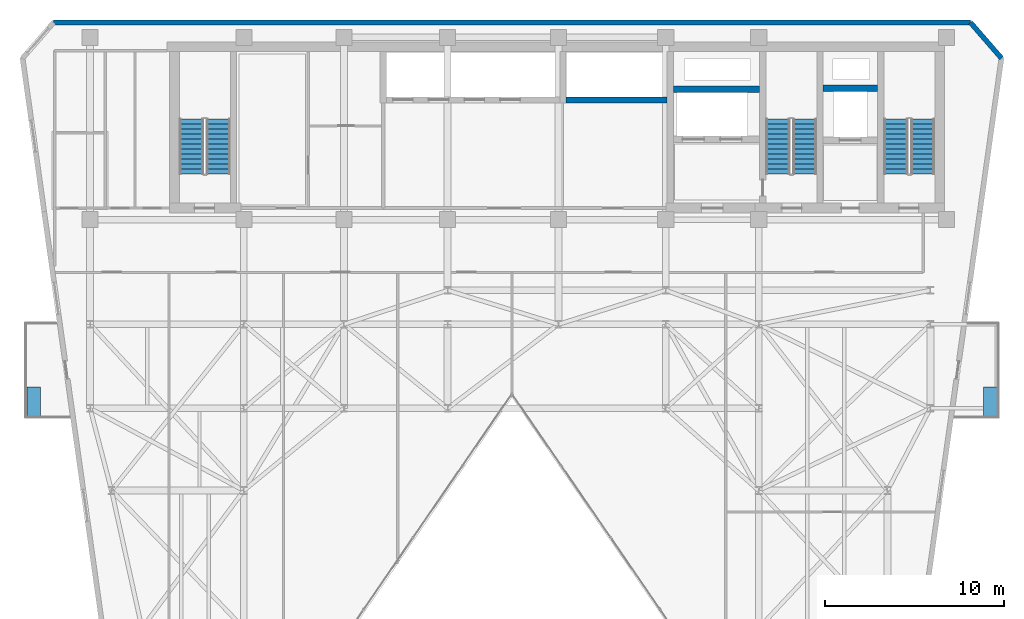
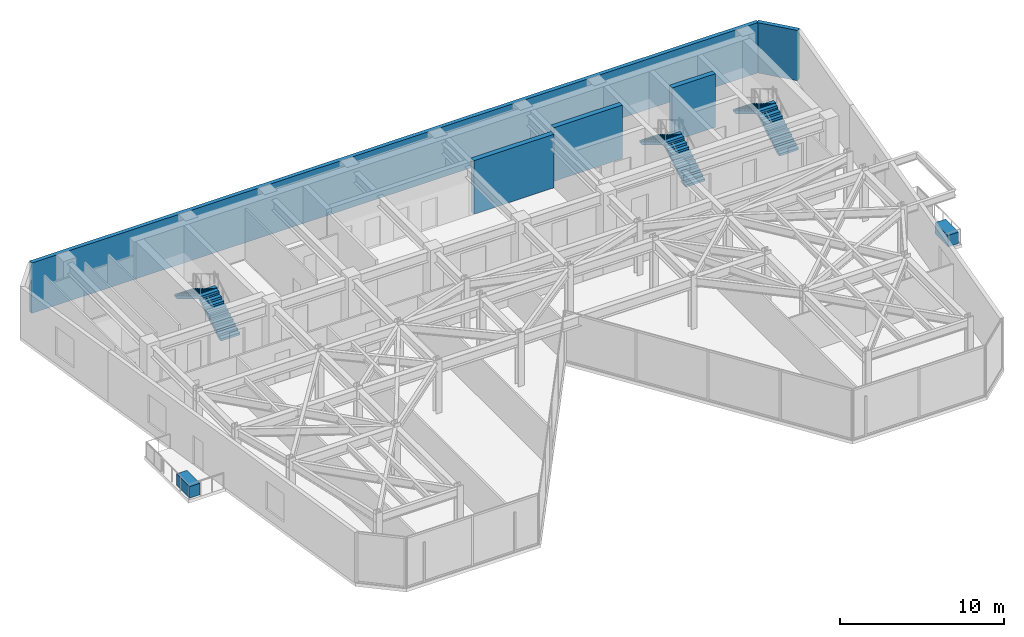
# One storey, part 18 of 21: 6 stair flights, 5 walls, 2 discrete accessories, 3 elements without a shape of their own.
"""IFC4 building model written with IfcOpenShell, lengths in metres."""

from ifc_helpers import new_model, si_unit, direction, frame, frame_2d, origin, origin_2d, place, context, subcontext, project, spatial, polyline, rectangle, outline, extrude, material, layer, layer_set, type_object, element, aggregate, save


model = new_model("IFC4")

# Units and contexts
model_context = context("Model", 3, precision=1e-05, world=origin(), true_north=direction((0.0, 1.0)))
body_context = subcontext(model_context, "Body", "Model", "MODEL_VIEW")
ifc_project = project(units=[si_unit("LENGTHUNIT", "METRE"), si_unit("AREAUNIT", "SQUARE_METRE"), si_unit("VOLUMEUNIT", "CUBIC_METRE"), si_unit("PLANEANGLEUNIT", "RADIAN"), si_unit("MASSUNIT", "GRAM", prefix="KILO")], contexts=[model_context])

# Site, building, storey
site_placement = place(None, origin())
site = spatial("IfcSite", under=ifc_project, at=site_placement, CompositionType="ELEMENT")
building_placement = place(site_placement, origin())
building = spatial("IfcBuilding", under=site, at=building_placement, Name="Kravanh Interchange Tower", CompositionType="ELEMENT")
storey_placement = place(building_placement, frame((0.0, 0.0, 168.5)))
storey = spatial("IfcBuildingStorey", under=building, at=storey_placement, Name="L40", CompositionType="ELEMENT", Elevation=168.5)

# Walls
ifc_material_1 = material(Name="Concrete C60/75", Category="concrete")
ifc_layer_1 = layer(ifc_material_1, 0.35009765625)
ifc_layer_set_1 = layer_set([ifc_layer_1], Name="Core Shear Wall Concrete C60/75 350mm")
wall_type_1 = type_object("IfcWallType", Name="Core Shear Wall Concrete C60/75 350mm", PredefinedType="SHEAR", material=ifc_layer_set_1)
wall_1_placement = place(storey_placement, frame((59.60009765625, 44.699951171875, 0.0), z_axis=(0.0, 0.0, 1.0), x_axis=(1.0, 0.0, 0.0)))
element("IfcWall", 1, at=wall_1_placement, inside=storey, type_object=wall_type_1, Name="L40 Service Lift Shaft North Wall", PredefinedType="SHEAR", context=body_context, shape_type="SweptSolid", body=[
    extrude(rectangle(XDim=3.0498046875, YDim=0.35009765625, at=frame_2d((1.52490234375, 0.0))), origin(), (0.0, 0.0, 1.0), 4.0),
])
wall_2_placement = place(storey_placement, frame((51.22509765625, 44.64990234375, 0.0), z_axis=(0.0, 0.0, 1.0), x_axis=(1.0, 0.0, 0.0)))
element("IfcWall", 2, at=wall_2_placement, inside=storey, type_object=wall_type_1, Name="L40 Fire Lift Shaft North Wall", PredefinedType="SHEAR", context=body_context, shape_type="SweptSolid", body=[
    extrude(rectangle(XDim=4.824951171875, YDim=0.35009765625, at=frame_2d((2.41259765625, 0.0))), origin(), (0.0, 0.0, 1.0), 4.0),
])
wall_3_placement = place(storey_placement, frame((45.22509765625, 44.050048828125, 0.0), z_axis=(0.0, 0.0, 1.0), x_axis=(1.0, 0.0, 0.0)))
element("IfcWall", 3, at=wall_3_placement, inside=storey, type_object=wall_type_1, Name="L40 High-Rise Lift Shaft South Wall", PredefinedType="SHEAR", context=body_context, shape_type="SweptSolid", body=[
    extrude(rectangle(XDim=5.64990234375, YDim=0.35009765625, at=frame_2d((2.824951171875, 0.0))), origin(), (0.0, 0.0, 1.0), 4.0),
])
ifc_material_2 = material(Name="Insulated Precast Concrete C40/50 with Bronze Cladding", Category="concrete")
ifc_layer_2 = layer(ifc_material_2, 0.280029296875)
ifc_layer_set_2 = layer_set([ifc_layer_2], Name="Exterior Insulated Concrete C40/50 Bronze Spandrel Wall 280mm")
wall_type_2 = type_object("IfcWallType", Name="Exterior Insulated Concrete C40/50 Bronze Spandrel Wall 280mm", PredefinedType="STANDARD", material=ifc_layer_set_2)
wall_4_placement = place(storey_placement, frame((16.5546875, 48.3798828125, 0.0), z_axis=(0.0, 0.0, 1.0), x_axis=(1.0, 0.0, 0.0)))
element("IfcWall", 4, at=wall_4_placement, inside=storey, type_object=wall_type_2, Name="L40 Exterior Wall 4", PredefinedType="STANDARD", context=body_context, shape_type="SweptSolid", body=[
    extrude(rectangle(XDim=51.29052734375, YDim=0.280029296875, at=frame_2d((25.645263671875, 0.0))), origin(), (0.0, 0.0, 1.0), 3.7548828125),
])
wall_5_placement = place(storey_placement, frame((67.84521484375, 48.3798828125, 0.0), z_axis=(0.0, 0.0, 1.0), x_axis=(0.656071351282, -0.754698868442, 0.0)))
element("IfcWall", 5, at=wall_5_placement, inside=storey, type_object=wall_type_2, Name="L40 Exterior Wall 5", PredefinedType="STANDARD", context=body_context, shape_type="SweptSolid", body=[
    extrude(rectangle(XDim=2.646240234375, YDim=0.280029296875, at=frame_2d((1.3232421875, 0.0))), origin(), (0.0, 0.0, 1.0), 3.7548828125),
])

# Stair, stair flights
ifc_material_3 = material(Name="Concrete C50/60", Category="concrete")
stair_type = type_object("IfcStairType", Name="Core Fire Exit Dogleg Stair Concrete C50/60", PredefinedType="HALF_TURN_STAIR", material=ifc_material_3)
stair_1_placement = place(storey_placement, origin())
stair_1 = element("IfcStair", 6, at=stair_1_placement, inside=storey, type_object=stair_type, Name="L40 Exit Stair ST1", PredefinedType="HALF_TURN_STAIR")
ifc_material_4 = material(Name="Precast Concrete C50/60", Category="concrete")
ifc_layer_3 = layer(ifc_material_4, 0.199951171875)
ifc_layer_set_3 = layer_set([ifc_layer_3], Name="Precast Concrete C50/60 Stair Flight 1350mm")
stair_flight_type = type_object("IfcStairFlightType", Name="Precast Concrete C50/60 Stair Flight 1350mm", PredefinedType="STRAIGHT", material=ifc_layer_set_3)
stair_flight_1_placement = place(storey_placement, frame((65.175048828125, 39.89990234375, 0.0), z_axis=(0.0, 0.0, 1.0), x_axis=(0.0, 1.0, 0.0)))
stair_flight_1 = element("IfcStairFlight", 7, at=stair_flight_1_placement, type_object=stair_flight_type, Name="ST1 flight 1", NumberOfRisers=12, NumberOfTreads=11, PredefinedType="STRAIGHT", RiserHeight=0.166666667, TreadLength=0.28, context=body_context, shape_type="SweptSolid", body=[
    extrude(outline(polyline([(0.0, 0.0), (0.0, 0.166748046875), (0.280029296875, 0.166748046875), (0.280029296875, 0.333251953125), (0.56005859375, 0.333251953125), (0.56005859375, 0.5), (0.840087890625, 0.5), (0.840087890625, 0.666748046875), (1.1201171875, 0.666748046875), (1.1201171875, 0.833251953125), (1.39990234375, 0.833251953125), (1.39990234375, 1.0), (1.679931640625, 1.0), (1.679931640625, 1.166748046875), (1.9599609375, 1.166748046875), (1.9599609375, 1.333251953125), (2.239990234375, 1.333251953125), (2.239990234375, 1.5), (2.52001953125, 1.5), (2.52001953125, 1.666748046875), (2.800048828125, 1.666748046875), (2.800048828125, 1.833251953125), (3.080078125, 1.833251953125), (3.080078125, 2.0), (3.080078125, 1.658935546875), (0.29296875, 0.0), (0.0, 0.0)])), frame((0.0, 0.675048828125, 0.0), z_axis=(0.0, -1.0, 0.0), x_axis=(1.0, 0.0, 0.0)), (0.0, 0.0, 1.0), 1.35009765625),
])
stair_flight_2_placement = place(storey_placement, frame((63.675048828125, 42.97998046875, 2.0), z_axis=(0.0, 0.0, 1.0), x_axis=(0.0, -1.0, 0.0)))
stair_flight_2 = element("IfcStairFlight", 8, at=stair_flight_2_placement, type_object=stair_flight_type, Name="ST1 flight 2", NumberOfRisers=12, NumberOfTreads=11, PredefinedType="STRAIGHT", RiserHeight=0.166666667, TreadLength=0.28, context=body_context, shape_type="SweptSolid", body=[
    extrude(outline(polyline([(0.0, 0.0), (0.0, 0.166748046875), (0.280029296875, 0.166748046875), (0.280029296875, 0.333251953125), (0.56005859375, 0.333251953125), (0.56005859375, 0.5), (0.840087890625, 0.5), (0.840087890625, 0.666748046875), (1.1201171875, 0.666748046875), (1.1201171875, 0.833251953125), (1.39990234375, 0.833251953125), (1.39990234375, 1.0), (1.679931640625, 1.0), (1.679931640625, 1.166748046875), (1.9599609375, 1.166748046875), (1.9599609375, 1.333251953125), (2.239990234375, 1.333251953125), (2.239990234375, 1.5), (2.52001953125, 1.5), (2.52001953125, 1.666748046875), (2.800048828125, 1.666748046875), (2.800048828125, 1.833251953125), (3.080078125, 1.833251953125), (3.080078125, 2.0), (3.080078125, 1.658935546875), (0.29296875, 0.0), (0.0, 0.0)])), frame((0.0, 0.675048828125, 0.0), z_axis=(0.0, -1.0, 0.0), x_axis=(1.0, 0.0, 0.0)), (0.0, 0.0, 1.0), 1.35009765625),
])
aggregate(stair_1, [stair_flight_1, stair_flight_2])

stair_2_placement = place(storey_placement, origin())
stair_2 = element("IfcStair", 9, at=stair_2_placement, inside=storey, type_object=stair_type, Name="L40 Exit Stair ST2", PredefinedType="HALF_TURN_STAIR")
stair_flight_3_placement = place(storey_placement, frame((58.574951171875, 39.89990234375, 0.0), z_axis=(0.0, 0.0, 1.0), x_axis=(0.0, 1.0, 0.0)))
stair_flight_3 = element("IfcStairFlight", 10, at=stair_flight_3_placement, type_object=stair_flight_type, Name="ST2 flight 1", NumberOfRisers=12, NumberOfTreads=11, PredefinedType="STRAIGHT", RiserHeight=0.166666667, TreadLength=0.28, context=body_context, shape_type="SweptSolid", body=[
    extrude(outline(polyline([(0.0, 0.0), (0.0, 0.166748046875), (0.280029296875, 0.166748046875), (0.280029296875, 0.333251953125), (0.56005859375, 0.333251953125), (0.56005859375, 0.5), (0.840087890625, 0.5), (0.840087890625, 0.666748046875), (1.1201171875, 0.666748046875), (1.1201171875, 0.833251953125), (1.39990234375, 0.833251953125), (1.39990234375, 1.0), (1.679931640625, 1.0), (1.679931640625, 1.166748046875), (1.9599609375, 1.166748046875), (1.9599609375, 1.333251953125), (2.239990234375, 1.333251953125), (2.239990234375, 1.5), (2.52001953125, 1.5), (2.52001953125, 1.666748046875), (2.800048828125, 1.666748046875), (2.800048828125, 1.833251953125), (3.080078125, 1.833251953125), (3.080078125, 2.0), (3.080078125, 1.658935546875), (0.29296875, 0.0), (0.0, 0.0)])), frame((0.0, 0.675048828125, 0.0), z_axis=(0.0, -1.0, 0.0), x_axis=(1.0, 0.0, 0.0)), (0.0, 0.0, 1.0), 1.35009765625),
])
stair_flight_4_placement = place(storey_placement, frame((57.074951171875, 42.97998046875, 2.0), z_axis=(0.0, 0.0, 1.0), x_axis=(0.0, -1.0, 0.0)))
stair_flight_4 = element("IfcStairFlight", 11, at=stair_flight_4_placement, type_object=stair_flight_type, Name="ST2 flight 2", NumberOfRisers=12, NumberOfTreads=11, PredefinedType="STRAIGHT", RiserHeight=0.166666667, TreadLength=0.28, context=body_context, shape_type="SweptSolid", body=[
    extrude(outline(polyline([(0.0, 0.0), (0.0, 0.166748046875), (0.280029296875, 0.166748046875), (0.280029296875, 0.333251953125), (0.56005859375, 0.333251953125), (0.56005859375, 0.5), (0.840087890625, 0.5), (0.840087890625, 0.666748046875), (1.1201171875, 0.666748046875), (1.1201171875, 0.833251953125), (1.39990234375, 0.833251953125), (1.39990234375, 1.0), (1.679931640625, 1.0), (1.679931640625, 1.166748046875), (1.9599609375, 1.166748046875), (1.9599609375, 1.333251953125), (2.239990234375, 1.333251953125), (2.239990234375, 1.5), (2.52001953125, 1.5), (2.52001953125, 1.666748046875), (2.800048828125, 1.666748046875), (2.800048828125, 1.833251953125), (3.080078125, 1.833251953125), (3.080078125, 2.0), (3.080078125, 1.658935546875), (0.29296875, 0.0), (0.0, 0.0)])), frame((0.0, 0.675048828125, 0.0), z_axis=(0.0, -1.0, 0.0), x_axis=(1.0, 0.0, 0.0)), (0.0, 0.0, 1.0), 1.35009765625),
])
aggregate(stair_2, [stair_flight_3, stair_flight_4])

stair_3_placement = place(storey_placement, origin())
stair_3 = element("IfcStair", 12, at=stair_3_placement, inside=storey, type_object=stair_type, Name="L40 Exit Stair ST3", PredefinedType="HALF_TURN_STAIR")
stair_flight_5_placement = place(storey_placement, frame((25.77490234375, 39.89990234375, 0.0), z_axis=(0.0, 0.0, 1.0), x_axis=(0.0, 1.0, 0.0)))
stair_flight_5 = element("IfcStairFlight", 13, at=stair_flight_5_placement, type_object=stair_flight_type, Name="ST3 flight 1", NumberOfRisers=12, NumberOfTreads=11, PredefinedType="STRAIGHT", RiserHeight=0.166666667, TreadLength=0.28, context=body_context, shape_type="SweptSolid", body=[
    extrude(outline(polyline([(0.0, 0.0), (0.0, 0.166748046875), (0.280029296875, 0.166748046875), (0.280029296875, 0.333251953125), (0.56005859375, 0.333251953125), (0.56005859375, 0.5), (0.840087890625, 0.5), (0.840087890625, 0.666748046875), (1.1201171875, 0.666748046875), (1.1201171875, 0.833251953125), (1.39990234375, 0.833251953125), (1.39990234375, 1.0), (1.679931640625, 1.0), (1.679931640625, 1.166748046875), (1.9599609375, 1.166748046875), (1.9599609375, 1.333251953125), (2.239990234375, 1.333251953125), (2.239990234375, 1.5), (2.52001953125, 1.5), (2.52001953125, 1.666748046875), (2.800048828125, 1.666748046875), (2.800048828125, 1.833251953125), (3.080078125, 1.833251953125), (3.080078125, 2.0), (3.080078125, 1.658935546875), (0.29296875, 0.0), (0.0, 0.0)])), frame((0.0, 0.675048828125, 0.0), z_axis=(0.0, -1.0, 0.0), x_axis=(1.0, 0.0, 0.0)), (0.0, 0.0, 1.0), 1.35009765625),
])
stair_flight_6_placement = place(storey_placement, frame((24.27490234375, 42.97998046875, 2.0), z_axis=(0.0, 0.0, 1.0), x_axis=(0.0, -1.0, 0.0)))
stair_flight_6 = element("IfcStairFlight", 14, at=stair_flight_6_placement, type_object=stair_flight_type, Name="ST3 flight 2", NumberOfRisers=12, NumberOfTreads=11, PredefinedType="STRAIGHT", RiserHeight=0.166666667, TreadLength=0.28, context=body_context, shape_type="SweptSolid", body=[
    extrude(outline(polyline([(0.0, 0.0), (0.0, 0.166748046875), (0.280029296875, 0.166748046875), (0.280029296875, 0.333251953125), (0.56005859375, 0.333251953125), (0.56005859375, 0.5), (0.840087890625, 0.5), (0.840087890625, 0.666748046875), (1.1201171875, 0.666748046875), (1.1201171875, 0.833251953125), (1.39990234375, 0.833251953125), (1.39990234375, 1.0), (1.679931640625, 1.0), (1.679931640625, 1.166748046875), (1.9599609375, 1.166748046875), (1.9599609375, 1.333251953125), (2.239990234375, 1.333251953125), (2.239990234375, 1.5), (2.52001953125, 1.5), (2.52001953125, 1.666748046875), (2.800048828125, 1.666748046875), (2.800048828125, 1.833251953125), (3.080078125, 1.833251953125), (3.080078125, 2.0), (3.080078125, 1.658935546875), (0.29296875, 0.0), (0.0, 0.0)])), frame((0.0, 0.675048828125, 0.0), z_axis=(0.0, -1.0, 0.0), x_axis=(1.0, 0.0, 0.0)), (0.0, 0.0, 1.0), 1.35009765625),
])
aggregate(stair_3, [stair_flight_5, stair_flight_6])

# Discrete accessories
ifc_material_5 = material(Name="Architectural GRC Concrete C40/50 with Root Barrier", Category="concrete")
discrete_accessory_type = type_object("IfcDiscreteAccessoryType", Name="Structural Balcony Tree Planter Box Concrete C40/50 1600x750x850", PredefinedType="USERDEFINED", material=ifc_material_5)
for number, where, z_axis, x_axis, name in (
    (15, (68.958984375, 27.179931640625, 0.0), (0.0, 0.0, 1.0), (1.0, 0.0, 0.0), "L40 E Balcony TREE PLANTER"),
    (16, (15.44091796875, 27.179931640625, 0.0), (0.0, 0.0, 1.0), (1.0, 0.0, 0.0), "L40 W Balcony TREE PLANTER"),
):
    element("IfcDiscreteAccessory", number, at=place(storey_placement, frame(where, z_axis=z_axis, x_axis=x_axis)), inside=storey, type_object=discrete_accessory_type, Name=name, ObjectType="PLANTER", PredefinedType="USERDEFINED", context=body_context, shape_type="SweptSolid", body=[
        extrude(rectangle(XDim=0.75, YDim=1.60009765625, at=origin_2d()), origin(), (0.0, 0.0, 1.0), 0.85009765625),
    ])

save(model, "model.ifc")
